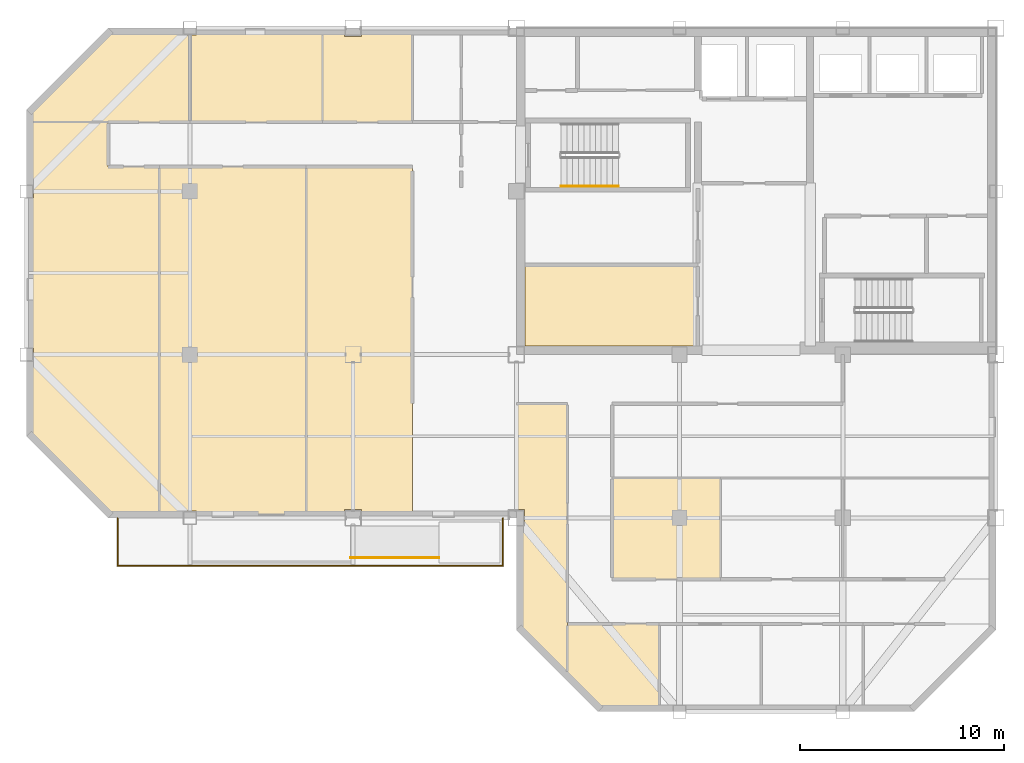
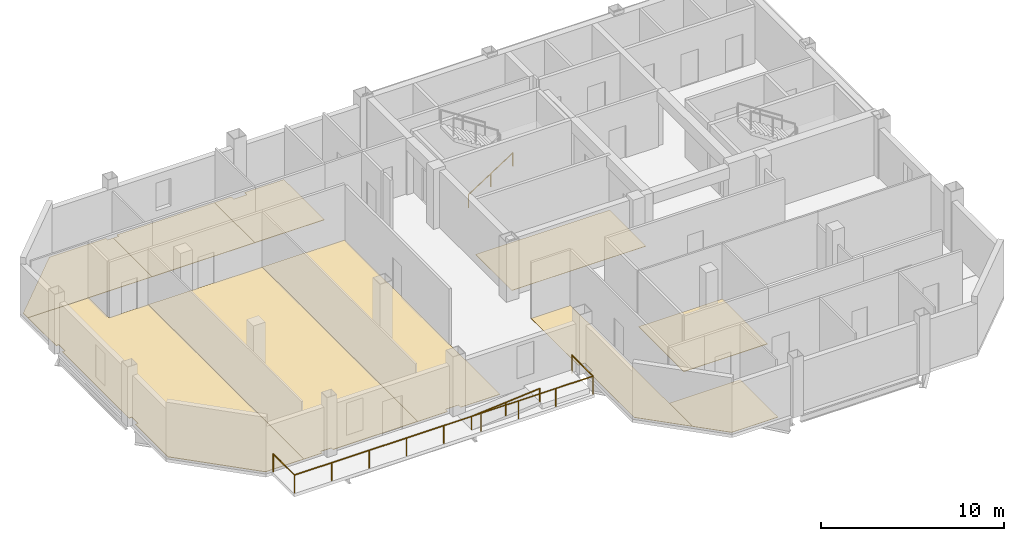
# One storey, part 5 of 7: 10 coverings, 3 railings.
"""IFC4 building model written with IfcOpenShell, lengths in metres."""

from ifc_helpers import new_model, si_unit, direction, frame, origin, origin_2d, place, context, subcontext, project, spatial, polyline, circle, outline, extrude, material, layer, layer_set, type_object, element, save


model = new_model("IFC4")

# Units and contexts
model_context = context("Model", 3, precision=1e-05, world=origin(), true_north=direction((0.0, 1.0)))
body_context = subcontext(model_context, "Body", "Model", "MODEL_VIEW")
ifc_project = project(units=[si_unit("LENGTHUNIT", "METRE"), si_unit("AREAUNIT", "SQUARE_METRE"), si_unit("VOLUMEUNIT", "CUBIC_METRE"), si_unit("PLANEANGLEUNIT", "RADIAN"), si_unit("MASSUNIT", "GRAM", prefix="KILO")], contexts=[model_context])

# Site, building, storey
site_placement = place(None, origin())
site = spatial("IfcSite", under=ifc_project, at=site_placement, CompositionType="ELEMENT")
building_placement = place(site_placement, origin())
building = spatial("IfcBuilding", under=site, at=building_placement, Name="Qianrong Seaharbour Tower", CompositionType="ELEMENT")
storey_placement = place(building_placement, frame((0.0, 0.0, 359.199951171875)))
storey = spatial("IfcBuildingStorey", under=building, at=storey_placement, Name="L87", CompositionType="ELEMENT", Elevation=359.199951171875)

# Coverings
ifc_material_1 = material(Name="Acoustic modular carpet tile flooring")
ifc_layer_1 = layer(ifc_material_1, 0.02001953125)
ifc_layer_set_1 = layer_set([ifc_layer_1], Name="Acoustic modular carpet tile flooring")
covering_type_1 = type_object("IfcCoveringType", Name="COV-FLOOR-CARPET-20", PredefinedType="FLOORING", material=ifc_layer_set_1)
covering_1_placement = place(storey_placement, origin())
element("IfcCovering", 1, at=covering_1_placement, inside=storey, type_object=covering_type_1, Name="L87 Corporate Archive Room Finish Flooring", PredefinedType="FLOORING", context=body_context, shape_type="SweptSolid", body=[
    extrude(outline(polyline([(49.39990234375, 40.39990234375), (49.39990234375, 36.419921875), (40.919921875, 36.419921875), (40.919921875, 40.39990234375), (49.39990234375, 40.39990234375)])), origin(), (0.0, 0.0, 1.0), 0.02001953125),
])
covering_2_placement = place(storey_placement, origin())
element("IfcCovering", 2, at=covering_2_placement, inside=storey, type_object=covering_type_1, Name="L87 VIP Client Lounge 3 Finish Flooring", PredefinedType="FLOORING", context=body_context, shape_type="SweptSolid", body=[
    extrude(outline(polyline([(32.909912109375, 28.1650390625), (32.909912109375, 28.409912109375), (32.090087890625, 28.409912109375), (32.090087890625, 28.1650390625), (30.199951171875, 28.1650390625), (30.199951171875, 45.199951171875), (35.39990234375, 45.199951171875), (35.39990234375, 28.1650390625), (32.909912109375, 28.1650390625)])), origin(), (0.0, 0.0, 1.0), 0.02001953125),
])
covering_3_placement = place(storey_placement, origin())
element("IfcCovering", 3, at=covering_3_placement, inside=storey, type_object=covering_type_1, Name="L87 Wet Pantry 1 Finish Flooring", PredefinedType="FLOORING", context=body_context, shape_type="SweptSolid", body=[
    extrude(outline(polyline([(43.0, 20.2333984375), (40.6650390625, 22.568359375), (40.6650390625, 27.590087890625), (40.909912109375, 27.590087890625), (40.909912109375, 28.409912109375), (40.5, 28.409912109375), (40.5, 33.60009765625), (43.0, 33.60009765625), (43.0, 20.2333984375)])), origin(), (0.0, 0.0, 1.0), 0.02001953125),
])
covering_4_placement = place(storey_placement, origin())
element("IfcCovering", 4, at=covering_4_placement, inside=storey, type_object=covering_type_1, Name="L87 Harbour Trade Lounge 1 Finish Flooring", PredefinedType="FLOORING", context=body_context, shape_type="SweptSolid", body=[
    extrude(outline(polyline([(47.5, 18.6650390625), (44.568359375, 18.6650390625), (43.0, 20.2333984375), (43.0, 22.800048828125), (47.5, 22.800048828125), (47.5, 18.6650390625)])), origin(), (0.0, 0.0, 1.0), 0.02001953125),
])
ifc_material_2 = material(Name="Honed granite stone flooring", Category="masonry")
ifc_layer_2 = layer(ifc_material_2, 0.030029296875)
ifc_layer_set_2 = layer_set([ifc_layer_2], Name="Honed granite stone flooring")
covering_type_2 = type_object("IfcCoveringType", Name="COV-FLOOR-GRANITE-30", PredefinedType="FLOORING", material=ifc_layer_set_2)
covering_5_placement = place(storey_placement, origin())
element("IfcCovering", 5, at=covering_5_placement, inside=storey, type_object=covering_type_2, Name="L87 Chartering Model Showroom 1 Finish Flooring", PredefinedType="FLOORING", context=body_context, shape_type="SweptSolid", body=[
    extrude(outline(polyline([(50.5, 29.949951171875), (50.5, 25.0), (45.199951171875, 25.0), (45.199951171875, 29.949951171875), (50.5, 29.949951171875)])), origin(), (0.0, 0.0, 1.0), 0.030029296875),
])
covering_6_placement = place(storey_placement, origin())
element("IfcCovering", 6, at=covering_6_placement, inside=storey, type_object=covering_type_2, Name="L87 Vessel Model Showroom 1 Finish Flooring", PredefinedType="FLOORING", context=body_context, shape_type="SweptSolid", body=[
    extrude(outline(polyline([(16.6650390625, 47.931640625), (20.568359375, 51.8349609375), (24.1650390625, 51.8349609375), (24.1650390625, 51.6650390625), (24.5, 51.6650390625), (24.5, 47.39990234375), (16.6650390625, 47.39990234375), (16.6650390625, 47.931640625)])), origin(), (0.0, 0.0, 1.0), 0.030029296875),
])
covering_7_placement = place(storey_placement, origin())
element("IfcCovering", 7, at=covering_7_placement, inside=storey, type_object=covering_type_2, Name="L87 Navigation Systems Showroom 2 Finish Flooring", PredefinedType="FLOORING", context=body_context, shape_type="SweptSolid", body=[
    extrude(outline(polyline([(24.5, 51.6650390625), (24.8349609375, 51.6650390625), (24.8349609375, 51.8349609375), (31.0, 51.8349609375), (31.0, 47.39990234375), (24.5, 47.39990234375), (24.5, 51.6650390625)])), origin(), (0.0, 0.0, 1.0), 0.030029296875),
])
covering_8_placement = place(storey_placement, origin())
element("IfcCovering", 8, at=covering_8_placement, inside=storey, type_object=covering_type_2, Name="L87 Marine Propulsion Showroom 3 Finish Flooring", PredefinedType="FLOORING", context=body_context, shape_type="SweptSolid", body=[
    extrude(outline(polyline([(31.0, 51.8349609375), (32.090087890625, 51.8349609375), (32.090087890625, 51.590087890625), (32.909912109375, 51.590087890625), (32.909912109375, 51.8349609375), (35.39990234375, 51.8349609375), (35.39990234375, 47.39990234375), (31.0, 47.39990234375), (31.0, 51.8349609375)])), origin(), (0.0, 0.0, 1.0), 0.030029296875),
])
covering_9_placement = place(storey_placement, origin())
element("IfcCovering", 9, at=covering_9_placement, inside=storey, type_object=covering_type_2, Name="L87 Cargo Systems Showroom 1 Finish Flooring", PredefinedType="FLOORING", context=body_context, shape_type="SweptSolid", body=[
    extrude(outline(polyline([(20.568359375, 28.1650390625), (16.6650390625, 32.068359375), (16.6650390625, 35.6650390625), (16.8349609375, 35.6650390625), (16.8349609375, 36.3349609375), (16.6650390625, 36.3349609375), (16.6650390625, 43.6650390625), (16.8349609375, 43.6650390625), (16.8349609375, 44.3349609375), (16.6650390625, 44.3349609375), (16.6650390625, 47.39990234375), (20.5, 47.39990234375), (20.5, 45.199951171875), (23.0, 45.199951171875), (23.0, 28.1650390625), (20.568359375, 28.1650390625)])), origin(), (0.0, 0.0, 1.0), 0.030029296875),
])
covering_10_placement = place(storey_placement, origin())
element("IfcCovering", 10, at=covering_10_placement, inside=storey, type_object=covering_type_2, Name="L87 Fleet Logistics Showroom 2 Finish Flooring", PredefinedType="FLOORING", context=body_context, shape_type="SweptSolid", body=[
    extrude(outline(polyline([(24.8349609375, 28.1650390625), (24.8349609375, 28.3349609375), (24.1650390625, 28.3349609375), (24.1650390625, 28.1650390625), (23.0, 28.1650390625), (23.0, 45.199951171875), (30.199951171875, 45.199951171875), (30.199951171875, 28.1650390625), (24.8349609375, 28.1650390625)])), origin(), (0.0, 0.0, 1.0), 0.030029296875),
])

# Railings
ifc_material_3 = material(Name="Stainless steel SUS316L tubular handrail", Category="steel")
railing_type_1 = type_object("IfcRailingType", Name="RAIL-RAMP-HANDRAIL-900", PredefinedType="HANDRAIL", material=ifc_material_3)
railing_1_placement = place(storey_placement, frame((32.3798828125, 26.050048828125, 0.0)))
element("IfcRailing", 11, at=railing_1_placement, inside=storey, type_object=railing_type_1, Name="L87 Harbourfront Ribbon Ramp Handrail", PredefinedType="HANDRAIL", context=body_context, shape_type="SweptSolid", body=[
    extrude(circle(Radius=0.02392578125, at=origin_2d()), frame((0.0, 0.0, 0.8759765625), z_axis=(0.996543815979, 0.0, 0.083068783756), x_axis=(0.0, 1.0, 0.0)), (0.0, 0.0, 1.0), 4.3349609375),
    extrude(circle(Radius=0.02099609375, at=origin_2d()), origin(), (0.0, 0.0, 1.0), 0.851806640625),
    extrude(circle(Radius=0.02099609375, at=origin_2d()), frame((2.16015625, 0.0, 0.18017578125)), (0.0, 0.0, 1.0), 0.851806640625),
    extrude(circle(Radius=0.02099609375, at=origin_2d()), frame((4.320068359375, 0.0, 0.360107421875)), (0.0, 0.0, 1.0), 0.851806640625),
])
ifc_material_4 = material(Name="Stainless steel SUS316L continuous handrail", Category="steel")
railing_type_2 = type_object("IfcRailingType", Name="RAIL-STAIR-HANDRAIL-900", PredefinedType="HANDRAIL", material=ifc_material_4)
railing_2_placement = place(storey_placement, frame((42.699951171875, 44.25, 0.181884765625)))
element("IfcRailing", 12, at=railing_2_placement, inside=storey, type_object=railing_type_2, Name="L87 ST-1 stair handrail 1", PredefinedType="HANDRAIL", context=body_context, shape_type="SweptSolid", body=[
    extrude(circle(Radius=0.02392578125, at=origin_2d()), frame((0.0, 0.0, 0.8759765625), z_axis=(0.838705829183, 0.0, 0.544584733623), x_axis=(0.0, 1.0, 0.0)), (0.0, 0.0, 1.0), 3.338623046875),
    extrude(circle(Radius=0.02099609375, at=origin_2d()), origin(), (0.0, 0.0, 1.0), 0.851806640625),
    extrude(circle(Radius=0.02099609375, at=origin_2d()), frame((1.39990234375, 0.0, 0.9091796875)), (0.0, 0.0, 1.0), 0.851806640625),
    extrude(circle(Radius=0.02099609375, at=origin_2d()), frame((2.800048828125, 0.0, 1.818115234375)), (0.0, 0.0, 1.0), 0.851806640625),
])
ifc_material_5 = material(Name="Stainless steel SUS316L and laminated safety glass balustrade", Category="steel")
railing_type_3 = type_object("IfcRailingType", Name="RAIL-TERRACE-GUARD-1220", PredefinedType="GUARDRAIL", material=ifc_material_5)
railing_3_placement = place(storey_placement, frame((20.9599609375, 27.97998046875, 0.0)))
element("IfcRailing", 13, at=railing_3_placement, inside=storey, type_object=railing_type_3, Name="L87 Harbourfront Ribbon Gallery Guardrail", PredefinedType="GUARDRAIL", context=body_context, shape_type="SweptSolid", body=[
    extrude(circle(Radius=0.02392578125, at=origin_2d()), frame((0.0, 0.0, 1.19580078125), z_axis=(0.0, -1.0, 0.0), x_axis=(1.0, 0.0, 0.0)), (0.0, 0.0, 1.0), 2.320068359375),
    extrude(circle(Radius=0.02392578125, at=origin_2d()), frame((0.0, -2.320068359375, 1.19580078125), z_axis=(1.0, 0.0, 0.0), x_axis=(0.0, 1.0, 0.0)), (0.0, 0.0, 1.0), 18.880126953125),
    extrude(circle(Radius=0.02392578125, at=origin_2d()), frame((18.880126953125, -2.320068359375, 1.19580078125), z_axis=(0.0, 1.0, 0.0), x_axis=(-1.0, 0.0, 0.0)), (0.0, 0.0, 1.0), 2.320068359375),
    extrude(circle(Radius=0.02099609375, at=origin_2d()), origin(), (0.0, 0.0, 1.0), 1.171875),
    extrude(circle(Radius=0.02099609375, at=origin_2d()), frame((0.0, -2.320068359375, 0.0)), (0.0, 0.0, 1.0), 1.171875),
    extrude(circle(Radius=0.02099609375, at=origin_2d()), frame((2.360107421875, -2.320068359375, 0.0)), (0.0, 0.0, 1.0), 1.171875),
    extrude(circle(Radius=0.02099609375, at=origin_2d()), frame((4.719970703125, -2.320068359375, 0.0)), (0.0, 0.0, 1.0), 1.171875),
    extrude(circle(Radius=0.02099609375, at=origin_2d()), frame((7.080078125, -2.320068359375, 0.0)), (0.0, 0.0, 1.0), 1.171875),
    extrude(circle(Radius=0.02099609375, at=origin_2d()), frame((9.43994140625, -2.320068359375, 0.0)), (0.0, 0.0, 1.0), 1.171875),
    extrude(circle(Radius=0.02099609375, at=origin_2d()), frame((11.800048828125, -2.320068359375, 0.0)), (0.0, 0.0, 1.0), 1.171875),
    extrude(circle(Radius=0.02099609375, at=origin_2d()), frame((14.16015625, -2.320068359375, 0.0)), (0.0, 0.0, 1.0), 1.171875),
    extrude(circle(Radius=0.02099609375, at=origin_2d()), frame((16.52001953125, -2.320068359375, 0.0)), (0.0, 0.0, 1.0), 1.171875),
    extrude(circle(Radius=0.02099609375, at=origin_2d()), frame((18.880126953125, -2.320068359375, 0.0)), (0.0, 0.0, 1.0), 1.171875),
    extrude(circle(Radius=0.02099609375, at=origin_2d()), frame((18.880126953125, 0.0, 0.0)), (0.0, 0.0, 1.0), 1.171875),
])

save(model, "model.ifc")
